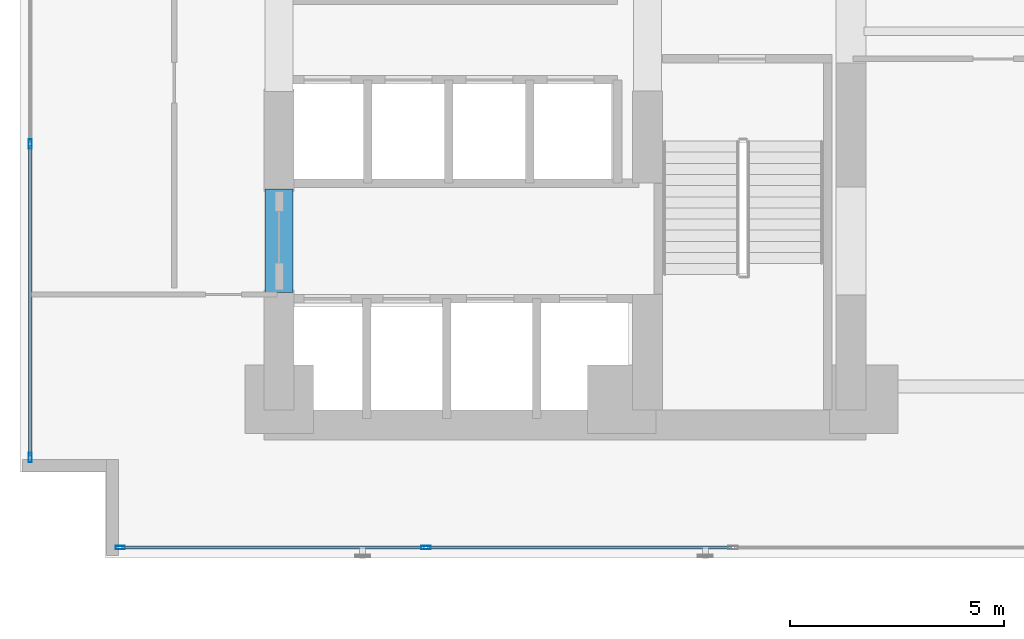
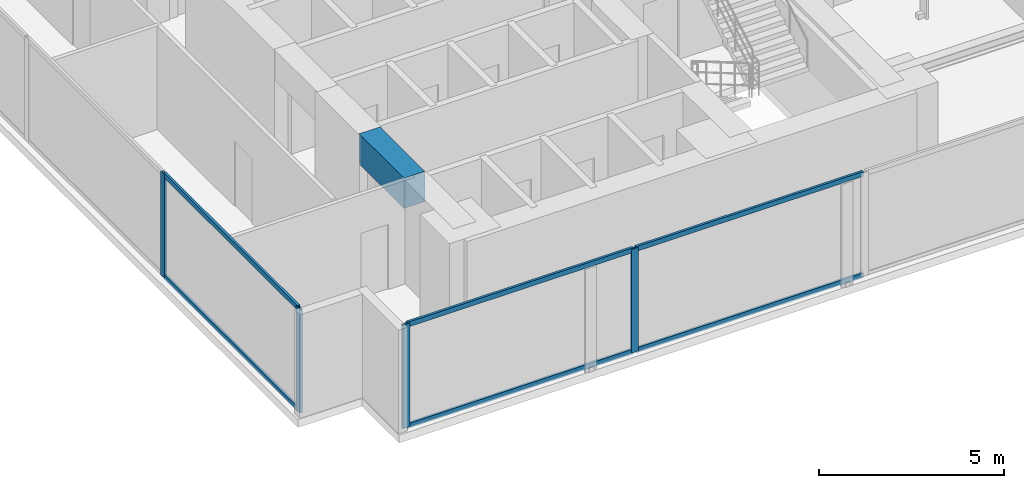
# One storey, part 2 of 28: 10 members, 1 beam, 2 elements without a shape of their own.
"""IFC4 building model written with IfcOpenShell, lengths in metres."""

from ifc_helpers import new_model, si_unit, direction, frame, origin, origin_with_axes, origin_2d, place, context, subcontext, project, spatial, rectangle, hollow_rectangle, extrude, source, transform, mapped, material, layer, layer_set, material_profile, profile_set, type_object, element, aggregate, save


model = new_model("IFC4")

# Units and contexts
model_context = context("Model", 3, precision=1e-05, world=origin(), true_north=direction((0.0, 1.0)))
body_context = subcontext(model_context, "Body", "Model", "MODEL_VIEW")
ifc_project = project(units=[si_unit("LENGTHUNIT", "METRE"), si_unit("AREAUNIT", "SQUARE_METRE"), si_unit("VOLUMEUNIT", "CUBIC_METRE"), si_unit("PLANEANGLEUNIT", "RADIAN"), si_unit("MASSUNIT", "GRAM", prefix="KILO")], contexts=[model_context])

# Site, building, storey
site_placement = place(None, origin())
site = spatial("IfcSite", under=ifc_project, at=site_placement, CompositionType="ELEMENT")
building_placement = place(site_placement, origin())
building = spatial("IfcBuilding", under=site, at=building_placement, Name="Kolvaren Waterfront Exchange", CompositionType="ELEMENT")
storey_placement = place(building_placement, frame((0.0, 0.0, 79.0)))
storey = spatial("IfcBuildingStorey", under=building, at=storey_placement, Name="L20", CompositionType="ELEMENT", Elevation=79.0)

# Beam
ifc_material_1 = material(Name="Concrete C60/75", Category="concrete")
ifc_material_profile_1 = material_profile(ifc_material_1, rectangle(XDim=0.64990234375, YDim=1.0, at=origin_2d()), Name="RC-CB-1000x650")
ifc_profile_set_1 = profile_set([ifc_material_profile_1], Name="Concrete C60/75")
beam_type = type_object("IfcBeamType", Name="STR-CB-1000", PredefinedType="SPANDREL", material=ifc_profile_set_1)
beam_placement = place(storey_placement, frame((7.449951171875, 7.389892578125, 2.919921875), z_axis=(0.0, 1.0, 0.0), x_axis=(-1.0, 0.0, 0.0)))
element("IfcBeam", 1, at=beam_placement, inside=storey, type_object=beam_type, Name="L20 core coupling beam 3", PredefinedType="SPANDREL", context=body_context, shape_type="SweptSolid", body=[
    extrude(rectangle(XDim=0.64990234375, YDim=1.0, at=origin_2d()), origin(), (0.0, 0.0, 1.0), 2.420166015625),
])

# Curtain wall, members
ifc_material_2 = material(Name="Anodised bronze aluminium 6063-T6", Category="aluminium")
ifc_layer_1 = layer(ifc_material_2, 0.219970703125, Name="Anodised bronze aluminium 6063-T6")
ifc_layer_set_1 = layer_set([ifc_layer_1], Name="Anodised bronze aluminium 6063-T6")
curtain_wall_type_1 = type_object("IfcCurtainWallType", Name="ARC-CW-SYS1", PredefinedType="USERDEFINED", material=ifc_layer_set_1)
curtain_wall_1_placement = place(storey_placement, origin())
curtain_wall_1 = element("IfcCurtainWall", 2, at=curtain_wall_1_placement, inside=storey, type_object=curtain_wall_type_1, Name="L20 stick curtain wall CW1 (CW-L20-S)", ObjectType="STICK CURTAIN WALL", PredefinedType="USERDEFINED")
ifc_material_3 = material(Name="Anodised aluminium 6063-T6", Category="aluminium")
ifc_material_profile_2 = material_profile(ifc_material_3, hollow_rectangle(XDim=0.074951171875, YDim=0.159912109375, WallThickness=0.00439453125, at=origin_2d()), Name="ALU-TRN-160x75x4.5")
ifc_profile_set_2 = profile_set([ifc_material_profile_2], Name="Anodised aluminium 6063-T6")
member_type_1 = type_object("IfcMemberType", Name="ARC-CWT-160", PredefinedType="USERDEFINED", material=ifc_profile_set_2)
shared_shape_1 = source(origin_with_axes(), body_context, "Body", "SweptSolid", [
    extrude(hollow_rectangle(XDim=0.074951171875, YDim=0.159912109375, WallThickness=0.00439453125, at=origin_2d()), origin(), (0.0, 0.0, 1.0), 7.054931640625),
])
member_1_placement = place(storey_placement, frame((3.780029296875, 1.43994140625, 0.03759765625), z_axis=(1.0, 0.0, 0.0), x_axis=(0.0, 1.0, 0.0)))
member_1 = element("IfcMember", 3, at=member_1_placement, type_object=member_type_1, Name="CW1 transom 1.1", ObjectType="TRANSOM", PredefinedType="USERDEFINED", context=body_context, shape_type="MappedRepresentation", body=[
    mapped(shared_shape_1, transform((0.0, 0.0, 0.0), x_axis=(1.0, 0.0, 0.0), y_axis=(0.0, 1.0, 0.0), z_axis=(0.0, 0.0, 1.0), scale=1.0)),
])
member_2_placement = place(storey_placement, frame((3.780029296875, 1.43994140625, 3.382568359375), z_axis=(1.0, 0.0, 0.0), x_axis=(0.0, 1.0, 0.0)))
member_2 = element("IfcMember", 4, at=member_2_placement, type_object=member_type_1, Name="CW1 transom 1.2", ObjectType="TRANSOM", PredefinedType="USERDEFINED", context=body_context, shape_type="MappedRepresentation", body=[
    mapped(shared_shape_1, transform((0.0, 0.0, 0.0), x_axis=(1.0, 0.0, 0.0), y_axis=(0.0, 1.0, 0.0), z_axis=(0.0, 0.0, 1.0), scale=1.0)),
])
shared_shape_2 = source(origin_with_axes(), body_context, "Body", "SweptSolid", [
    extrude(hollow_rectangle(XDim=0.074951171875, YDim=0.159912109375, WallThickness=0.00439453125, at=origin_2d()), origin(), (0.0, 0.0, 1.0), 7.094970703125),
])
member_3_placement = place(storey_placement, frame((10.9150390625, 1.43994140625, 0.03759765625), z_axis=(1.0, 0.0, 0.0), x_axis=(0.0, 1.0, 0.0)))
member_3 = element("IfcMember", 5, at=member_3_placement, type_object=member_type_1, Name="CW1 transom 2.1", ObjectType="TRANSOM", PredefinedType="USERDEFINED", context=body_context, shape_type="MappedRepresentation", body=[
    mapped(shared_shape_2, transform((0.0, 0.0, 0.0), x_axis=(1.0, 0.0, 0.0), y_axis=(0.0, 1.0, 0.0), z_axis=(0.0, 0.0, 1.0), scale=1.0)),
])
member_4_placement = place(storey_placement, frame((10.9150390625, 1.43994140625, 3.382568359375), z_axis=(1.0, 0.0, 0.0), x_axis=(0.0, 1.0, 0.0)))
member_4 = element("IfcMember", 6, at=member_4_placement, type_object=member_type_1, Name="CW1 transom 2.2", ObjectType="TRANSOM", PredefinedType="USERDEFINED", context=body_context, shape_type="MappedRepresentation", body=[
    mapped(shared_shape_2, transform((0.0, 0.0, 0.0), x_axis=(1.0, 0.0, 0.0), y_axis=(0.0, 1.0, 0.0), z_axis=(0.0, 0.0, 1.0), scale=1.0)),
])

ifc_layer_2 = layer(ifc_material_3, 0.219970703125, Name="Anodised aluminium 6063-T6")
ifc_layer_set_2 = layer_set([ifc_layer_2], Name="Anodised aluminium 6063-T6")
curtain_wall_type_2 = type_object("IfcCurtainWallType", Name="ARC-CW-SYS2", PredefinedType="USERDEFINED", material=ifc_layer_set_2)
curtain_wall_2_placement = place(storey_placement, origin())
curtain_wall_2 = element("IfcCurtainWall", 7, at=curtain_wall_2_placement, inside=storey, type_object=curtain_wall_type_2, Name="L20 stick curtain wall CW2 (CW-L20-W)", ObjectType="STICK CURTAIN WALL", PredefinedType="USERDEFINED")
shared_shape_3 = source(origin_with_axes(), body_context, "Body", "SweptSolid", [
    extrude(hollow_rectangle(XDim=0.074951171875, YDim=0.159912109375, WallThickness=0.00439453125, at=origin_2d()), origin(), (0.0, 0.0, 1.0), 7.24658203125),
])
member_5_placement = place(storey_placement, frame((1.639892578125, 3.580078125, 0.03759765625), z_axis=(0.0, 1.0, 0.0), x_axis=(-1.0, 0.0, 0.0)))
member_5 = element("IfcMember", 8, at=member_5_placement, type_object=member_type_1, Name="CW2 transom 1.1", ObjectType="TRANSOM", PredefinedType="USERDEFINED", context=body_context, shape_type="MappedRepresentation", body=[
    mapped(shared_shape_3, transform((0.0, 0.0, 0.0), x_axis=(1.0, 0.0, 0.0), y_axis=(0.0, 1.0, 0.0), z_axis=(0.0, 0.0, 1.0), scale=1.0)),
])
member_6_placement = place(storey_placement, frame((1.639892578125, 3.580078125, 3.382568359375), z_axis=(0.0, 1.0, 0.0), x_axis=(-1.0, 0.0, 0.0)))
member_6 = element("IfcMember", 9, at=member_6_placement, type_object=member_type_1, Name="CW2 transom 1.2", ObjectType="TRANSOM", PredefinedType="USERDEFINED", context=body_context, shape_type="MappedRepresentation", body=[
    mapped(shared_shape_3, transform((0.0, 0.0, 0.0), x_axis=(1.0, 0.0, 0.0), y_axis=(0.0, 1.0, 0.0), z_axis=(0.0, 0.0, 1.0), scale=1.0)),
])

# Member
ifc_material_profile_3 = material_profile(ifc_material_3, hollow_rectangle(XDim=0.080078125, YDim=0.219970703125, WallThickness=0.0048828125, at=origin_2d()), Name="ALU-MUL-220x80x5")
ifc_profile_set_3 = profile_set([ifc_material_profile_3], Name="Anodised aluminium 6063-T6")
member_type_2 = type_object("IfcMemberType", Name="ARC-CWM-220", PredefinedType="MULLION", material=ifc_profile_set_3)
shared_shape_4 = source(origin_with_axes(), body_context, "Body", "SweptSolid", [
    extrude(hollow_rectangle(XDim=0.080078125, YDim=0.219970703125, WallThickness=0.0048828125, at=origin_2d()), origin(), (0.0, 0.0, 1.0), 3.419921875),
])
member_7_placement = place(storey_placement, frame((3.739990234375, 1.43994140625, 0.0), z_axis=(0.0, 0.0, 1.0), x_axis=(0.0, 1.0, 0.0)))
member_7 = element("IfcMember", 10, at=member_7_placement, type_object=member_type_2, Name="CW1 mullion 1", PredefinedType="MULLION", context=body_context, shape_type="MappedRepresentation", body=[
    mapped(shared_shape_4, transform((0.0, 0.0, 0.0), x_axis=(1.0, 0.0, 0.0), y_axis=(0.0, 1.0, 0.0), z_axis=(0.0, 0.0, 1.0), scale=1.0)),
])

member_8_placement = place(storey_placement, frame((10.875, 1.43994140625, 0.0), z_axis=(0.0, 0.0, 1.0), x_axis=(0.0, 1.0, 0.0)))
member_8 = element("IfcMember", 11, at=member_8_placement, type_object=member_type_2, Name="CW1 mullion 2", PredefinedType="MULLION", context=body_context, shape_type="MappedRepresentation", body=[
    mapped(shared_shape_4, transform((0.0, 0.0, 0.0), x_axis=(1.0, 0.0, 0.0), y_axis=(0.0, 1.0, 0.0), z_axis=(0.0, 0.0, 1.0), scale=1.0)),
])

aggregate(curtain_wall_1, [member_7, member_8, member_1, member_2, member_3, member_4])

member_9_placement = place(storey_placement, frame((1.639892578125, 3.5400390625, 0.0), z_axis=(0.0, 0.0, 1.0), x_axis=(-1.0, 0.0, 0.0)))
member_9 = element("IfcMember", 12, at=member_9_placement, type_object=member_type_2, Name="CW2 mullion 1", PredefinedType="MULLION", context=body_context, shape_type="MappedRepresentation", body=[
    mapped(shared_shape_4, transform((0.0, 0.0, 0.0), x_axis=(1.0, 0.0, 0.0), y_axis=(0.0, 1.0, 0.0), z_axis=(0.0, 0.0, 1.0), scale=1.0)),
])

member_10_placement = place(storey_placement, frame((1.639892578125, 10.86669921875, 0.0), z_axis=(0.0, 0.0, 1.0), x_axis=(-1.0, 0.0, 0.0)))
member_10 = element("IfcMember", 13, at=member_10_placement, type_object=member_type_2, Name="CW2 mullion 2", PredefinedType="MULLION", context=body_context, shape_type="MappedRepresentation", body=[
    mapped(shared_shape_4, transform((0.0, 0.0, 0.0), x_axis=(1.0, 0.0, 0.0), y_axis=(0.0, 1.0, 0.0), z_axis=(0.0, 0.0, 1.0), scale=1.0)),
])

aggregate(curtain_wall_2, [member_9, member_10, member_5, member_6])

save(model, "model.ifc")
